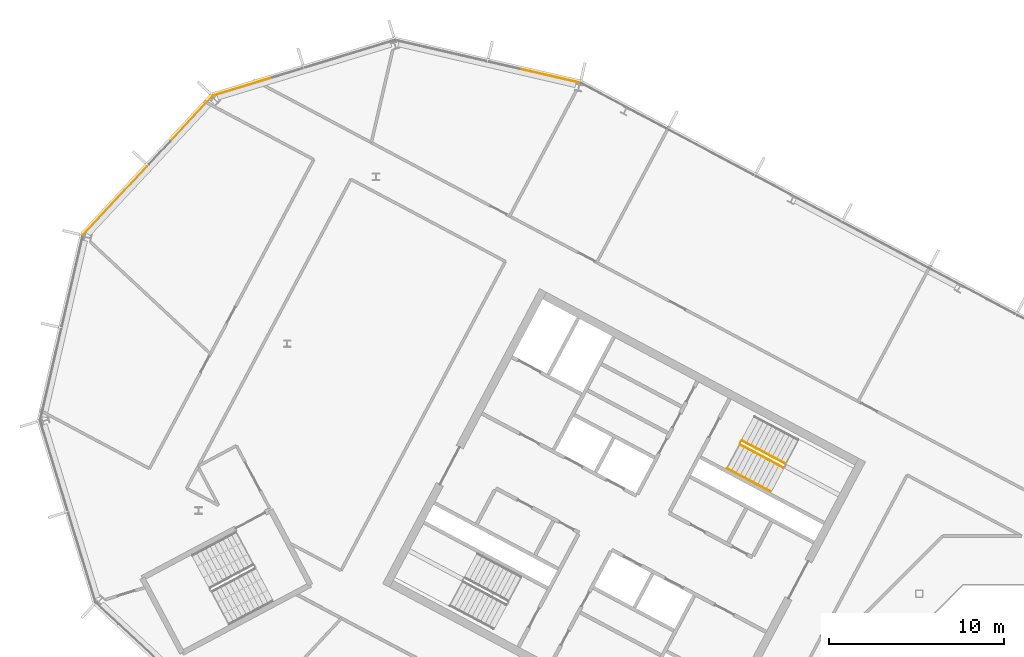
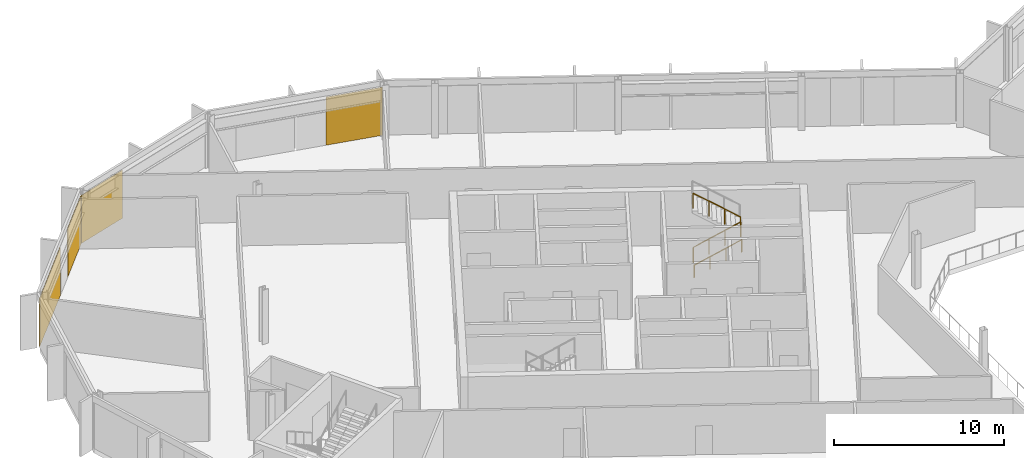
# One storey, part 22 of 26: 4 coverings, 3 railings, 3 elements without a shape of their own.
"""IFC4 building model written with IfcOpenShell, lengths in metres."""

from ifc_helpers import new_model, si_unit, direction, frame, origin, origin_2d, place, context, subcontext, project, spatial, polyline, rectangle, outline, extrude, material, layer, layer_set, type_object, element, aggregate, save


model = new_model("IFC4")

# Units and contexts
model_context = context("Model", 3, precision=1e-05, world=origin(), true_north=direction((0.0, 1.0)))
body_context = subcontext(model_context, "Body", "Model", "MODEL_VIEW")
ifc_project = project(units=[si_unit("LENGTHUNIT", "METRE"), si_unit("AREAUNIT", "SQUARE_METRE"), si_unit("VOLUMEUNIT", "CUBIC_METRE"), si_unit("PLANEANGLEUNIT", "RADIAN"), si_unit("MASSUNIT", "GRAM", prefix="KILO")], contexts=[model_context])

# Site, building, storey
site_placement = place(None, origin())
site = spatial("IfcSite", under=ifc_project, at=site_placement, CompositionType="ELEMENT")
building_placement = place(site_placement, origin())
building = spatial("IfcBuilding", under=site, at=building_placement, Name="Cormorant Relay Tower", CompositionType="ELEMENT")
storey_placement = place(building_placement, frame((0.0, 0.0, 300.89990234375)))
storey = spatial("IfcBuildingStorey", under=building, at=storey_placement, Name="L68", CompositionType="ELEMENT", Elevation=300.89990234375)

# Curtain wall, covering
ifc_material_1 = material(Name="Aluminium 6063-T6 anodised bronze", Category="aluminium")
ifc_layer_1 = layer(ifc_material_1, 0.199951171875)
ifc_layer_set_1 = layer_set([ifc_layer_1], Name="CW1 unitised bronze curtain wall with vertical fins")
curtain_wall_type = type_object("IfcCurtainWallType", Name="CW1 unitised bronze curtain wall with vertical fins", PredefinedType="NOTDEFINED", material=ifc_layer_set_1)
curtain_wall_1_placement = place(storey_placement, origin())
curtain_wall_1 = element("IfcCurtainWall", 1, at=curtain_wall_1_placement, inside=storey, type_object=curtain_wall_type, Name="CW1 curtain wall 10", PredefinedType="NOTDEFINED")
ifc_material_2 = material(Name="Pale bronze anodised aluminium insulated panel", Category="aluminium")
ifc_layer_2 = layer(ifc_material_2, 0.0400390625)
ifc_layer_set_2 = layer_set([ifc_layer_2], Name="CW1 pale bronze insulated panel 40")
covering_type = type_object("IfcCoveringType", Name="CW1 pale bronze insulated panel 40", PredefinedType="CLADDING", material=ifc_layer_set_2)
covering_1_placement = place(storey_placement, frame((-31.640380859375, 40.096435546875, 0.0), z_axis=(0.0, 0.0, 1.0), x_axis=(-0.974370064785, 0.224951054344, 0.0)))
covering_1 = element("IfcCovering", 2, at=covering_1_placement, type_object=covering_type, Name="CW1 panel S00", PredefinedType="CLADDING", context=body_context, shape_type="SweptSolid", body=[
    extrude(rectangle(XDim=3.485107421875, YDim=0.0400390625, at=origin_2d()), origin(), (0.0, 0.0, 1.0), 3.449951171875),
])
aggregate(curtain_wall_1, [covering_1])

curtain_wall_2_placement = place(storey_placement, origin())
curtain_wall_2 = element("IfcCurtainWall", 3, at=curtain_wall_2_placement, inside=storey, type_object=curtain_wall_type, Name="CW1 curtain wall 11", PredefinedType="NOTDEFINED")
covering_2_placement = place(storey_placement, frame((-49.16455078125, 39.474853515625, 0.0), z_axis=(0.0, 0.0, 1.0), x_axis=(-0.956304755963, -0.292371704723, 0.0)))
covering_2 = element("IfcCovering", 4, at=covering_2_placement, type_object=covering_type, Name="CW1 panel S02", PredefinedType="CLADDING", context=body_context, shape_type="SweptSolid", body=[
    extrude(rectangle(XDim=3.560302734375, YDim=0.0400390625, at=origin_2d()), origin(), (0.0, 0.0, 1.0), 3.449951171875),
])
aggregate(curtain_wall_2, [covering_2])

# Curtain wall, coverings
curtain_wall_3_placement = place(storey_placement, origin())
curtain_wall_3 = element("IfcCurtainWall", 5, at=curtain_wall_3_placement, inside=storey, type_object=curtain_wall_type, Name="CW1 curtain wall 12", PredefinedType="NOTDEFINED")
covering_3_placement = place(storey_placement, frame((-52.115234375, 37.61962890625, 0.0), z_axis=(0.0, 0.0, 1.0), x_axis=(-0.681998360062, -0.731353701619, 0.0)))
covering_3 = element("IfcCovering", 6, at=covering_3_placement, type_object=covering_type, Name="CW1 panel S00", PredefinedType="CLADDING", context=body_context, shape_type="SweptSolid", body=[
    extrude(rectangle(XDim=3.485107421875, YDim=0.0400390625, at=origin_2d()), origin(), (0.0, 0.0, 1.0), 3.449951171875),
])
covering_4_placement = place(storey_placement, frame((-56.461181640625, 32.958984375, 0.0), z_axis=(0.0, 0.0, 1.0), x_axis=(-0.681998360062, -0.731353701619, 0.0)))
covering_4 = element("IfcCovering", 7, at=covering_4_placement, type_object=covering_type, Name="CW1 panel S02", PredefinedType="CLADDING", context=body_context, shape_type="SweptSolid", body=[
    extrude(rectangle(XDim=5.360107421875, YDim=0.0400390625, at=origin_2d()), origin(), (0.0, 0.0, 1.0), 3.449951171875),
])
aggregate(curtain_wall_3, [covering_3, covering_4])

# Railings
ifc_material_3 = material(Name="Steel ASTM A572 Grade 50 (Fy 345 MPa)", Category="steel")
railing_type_1 = type_object("IfcRailingType", Name="Stair guard 1100", PredefinedType="GUARDRAIL", material=ifc_material_3)
railing_1_placement = place(storey_placement, frame((-20.75048828125, 19.017822265625, 0.177490234375)))
element("IfcRailing", 8, at=railing_1_placement, inside=storey, type_object=railing_type_1, Name="L68 A1 stair guard 1", PredefinedType="GUARDRAIL", context=body_context, shape_type="SweptSolid", body=[
    extrude(outline(polyline([(0.022216796875, 0.00927734375), (0.00927734375, 0.022216796875), (-0.00927734375, 0.022216796875), (-0.022216796875, 0.00927734375), (-0.022216796875, -0.00927734375), (-0.00927734375, -0.022216796875), (0.00927734375, -0.022216796875), (0.022216796875, -0.00927734375), (0.022216796875, 0.00927734375)])), frame((0.0, 0.0, 1.076171875), z_axis=(0.746001213114, -0.396649272309, 0.534931345884), x_axis=(0.469465464807, 0.882950835185, 0.0)), (0.0, 0.0, 1.0), 3.31396484375),
    extrude(outline(polyline([(0.019287109375, 0.008056640625), (0.008056640625, 0.019287109375), (-0.008056640625, 0.019287109375), (-0.019287109375, 0.008056640625), (-0.019287109375, -0.008056640625), (-0.008056640625, -0.019287109375), (0.008056640625, -0.019287109375), (0.019287109375, -0.008056640625), (0.019287109375, 0.008056640625)])), origin(), (0.0, 0.0, 1.0), 1.052001953125),
    extrude(outline(polyline([(0.019287109375, 0.008056640625), (0.008056640625, 0.019287109375), (-0.008056640625, 0.019287109375), (-0.019287109375, 0.008056640625), (-0.019287109375, -0.008056640625), (-0.008056640625, -0.019287109375), (0.008056640625, -0.019287109375), (0.019287109375, -0.008056640625), (0.019287109375, 0.008056640625)])), frame((0.823974609375, -0.438232421875, 0.5908203125)), (0.0, 0.0, 1.0), 1.052001953125),
    extrude(outline(polyline([(0.019287109375, 0.008056640625), (0.008056640625, 0.019287109375), (-0.008056640625, 0.019287109375), (-0.019287109375, 0.008056640625), (-0.019287109375, -0.008056640625), (-0.008056640625, -0.019287109375), (0.008056640625, -0.019287109375), (0.019287109375, -0.008056640625), (0.019287109375, 0.008056640625)])), frame((1.648193359375, -0.876220703125, 1.181884765625)), (0.0, 0.0, 1.0), 1.052001953125),
    extrude(outline(polyline([(0.019287109375, 0.008056640625), (0.008056640625, 0.019287109375), (-0.008056640625, 0.019287109375), (-0.019287109375, 0.008056640625), (-0.019287109375, -0.008056640625), (-0.008056640625, -0.019287109375), (0.008056640625, -0.019287109375), (0.019287109375, -0.008056640625), (0.019287109375, 0.008056640625)])), frame((2.47216796875, -1.314453125, 1.772705078125)), (0.0, 0.0, 1.0), 1.052001953125),
])
railing_2_placement = place(storey_placement, frame((-18.160888671875, 17.924072265625, 2.12744140625)))
element("IfcRailing", 9, at=railing_2_placement, inside=storey, type_object=railing_type_1, Name="L68 A1 stair guard 3", PredefinedType="GUARDRAIL", context=body_context, shape_type="SweptSolid", body=[
    extrude(outline(polyline([(0.022216796875, 0.00927734375), (0.00927734375, 0.022216796875), (-0.00927734375, 0.022216796875), (-0.022216796875, 0.00927734375), (-0.022216796875, -0.00927734375), (-0.00927734375, -0.022216796875), (0.00927734375, -0.022216796875), (0.022216796875, -0.00927734375), (0.022216796875, 0.00927734375)])), frame((0.0, 0.0, 1.076171875), z_axis=(-0.746033882577, 0.396627473466, 0.534901947407), x_axis=(-0.469429322983, -0.882970050864, 0.0)), (0.0, 0.0, 1.0), 3.31396484375),
    extrude(outline(polyline([(0.019287109375, 0.008056640625), (0.008056640625, 0.019287109375), (-0.008056640625, 0.019287109375), (-0.019287109375, 0.008056640625), (-0.019287109375, -0.008056640625), (-0.008056640625, -0.019287109375), (0.008056640625, -0.019287109375), (0.019287109375, -0.008056640625), (0.019287109375, 0.008056640625)])), origin(), (0.0, 0.0, 1.0), 1.052001953125),
    extrude(outline(polyline([(0.019287109375, 0.008056640625), (0.008056640625, 0.019287109375), (-0.008056640625, 0.019287109375), (-0.019287109375, 0.008056640625), (-0.019287109375, -0.008056640625), (-0.008056640625, -0.019287109375), (0.008056640625, -0.019287109375), (0.019287109375, -0.008056640625), (0.019287109375, 0.008056640625)])), frame((-0.82421875, 0.438232421875, 0.5908203125)), (0.0, 0.0, 1.0), 1.052001953125),
    extrude(outline(polyline([(0.019287109375, 0.008056640625), (0.008056640625, 0.019287109375), (-0.008056640625, 0.019287109375), (-0.019287109375, 0.008056640625), (-0.019287109375, -0.008056640625), (-0.008056640625, -0.019287109375), (0.008056640625, -0.019287109375), (0.019287109375, -0.008056640625), (0.019287109375, 0.008056640625)])), frame((-1.648193359375, 0.876220703125, 1.181884765625)), (0.0, 0.0, 1.0), 1.052001953125),
    extrude(outline(polyline([(0.019287109375, 0.008056640625), (0.008056640625, 0.019287109375), (-0.008056640625, 0.019287109375), (-0.019287109375, 0.008056640625), (-0.019287109375, -0.008056640625), (-0.008056640625, -0.019287109375), (0.008056640625, -0.019287109375), (0.019287109375, -0.008056640625), (0.019287109375, 0.008056640625)])), frame((-2.472412109375, 1.314453125, 1.772705078125)), (0.0, 0.0, 1.0), 1.052001953125),
])
ifc_material_4 = material(Name="Steel ASTM A572 Grade 50 (Fy 345 MPa)", Category="steel")
railing_type_2 = type_object("IfcRailingType", Name="Stair handrail 900", PredefinedType="HANDRAIL", material=ifc_material_4)
railing_3_placement = place(storey_placement, frame((-21.478271484375, 17.6494140625, 0.177490234375)))
element("IfcRailing", 10, at=railing_3_placement, inside=storey, type_object=railing_type_2, Name="L68 A1 stair handrail 1", PredefinedType="HANDRAIL", context=body_context, shape_type="SweptSolid", body=[
    extrude(outline(polyline([(0.022216796875, 0.00927734375), (0.00927734375, 0.022216796875), (-0.00927734375, 0.022216796875), (-0.022216796875, 0.00927734375), (-0.022216796875, -0.00927734375), (-0.00927734375, -0.022216796875), (0.00927734375, -0.022216796875), (0.022216796875, -0.00927734375), (0.022216796875, 0.00927734375)])), frame((0.0, 0.0, 0.8759765625), z_axis=(0.746012083385, -0.396689549623, 0.534886317514), x_axis=(0.469497295046, 0.882933910293, 0.0)), (0.0, 0.0, 1.0), 3.314208984375),
    extrude(outline(polyline([(0.019287109375, 0.008056640625), (0.008056640625, 0.019287109375), (-0.008056640625, 0.019287109375), (-0.019287109375, 0.008056640625), (-0.019287109375, -0.008056640625), (-0.008056640625, -0.019287109375), (0.008056640625, -0.019287109375), (0.019287109375, -0.008056640625), (0.019287109375, 0.008056640625)])), origin(), (0.0, 0.0, 1.0), 0.851806640625),
    extrude(outline(polyline([(0.019287109375, 0.008056640625), (0.008056640625, 0.019287109375), (-0.008056640625, 0.019287109375), (-0.019287109375, 0.008056640625), (-0.019287109375, -0.008056640625), (-0.008056640625, -0.019287109375), (0.008056640625, -0.019287109375), (0.019287109375, -0.008056640625), (0.019287109375, 0.008056640625)])), frame((0.82421875, -0.438232421875, 0.5908203125)), (0.0, 0.0, 1.0), 0.851806640625),
    extrude(outline(polyline([(0.019287109375, 0.008056640625), (0.008056640625, 0.019287109375), (-0.008056640625, 0.019287109375), (-0.019287109375, 0.008056640625), (-0.019287109375, -0.008056640625), (-0.008056640625, -0.019287109375), (0.008056640625, -0.019287109375), (0.019287109375, -0.008056640625), (0.019287109375, 0.008056640625)])), frame((1.648193359375, -0.87646484375, 1.181884765625)), (0.0, 0.0, 1.0), 0.851806640625),
    extrude(outline(polyline([(0.019287109375, 0.008056640625), (0.008056640625, 0.019287109375), (-0.008056640625, 0.019287109375), (-0.019287109375, 0.008056640625), (-0.019287109375, -0.008056640625), (-0.008056640625, -0.019287109375), (0.008056640625, -0.019287109375), (0.019287109375, -0.008056640625), (0.019287109375, 0.008056640625)])), frame((2.472412109375, -1.314697265625, 1.772705078125)), (0.0, 0.0, 1.0), 0.851806640625),
])

save(model, "model.ifc")
